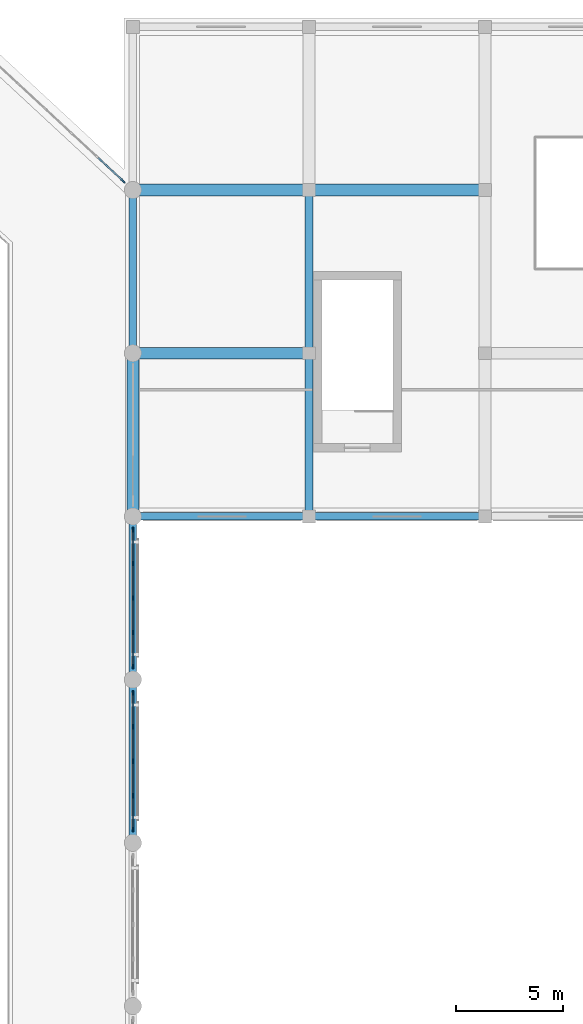
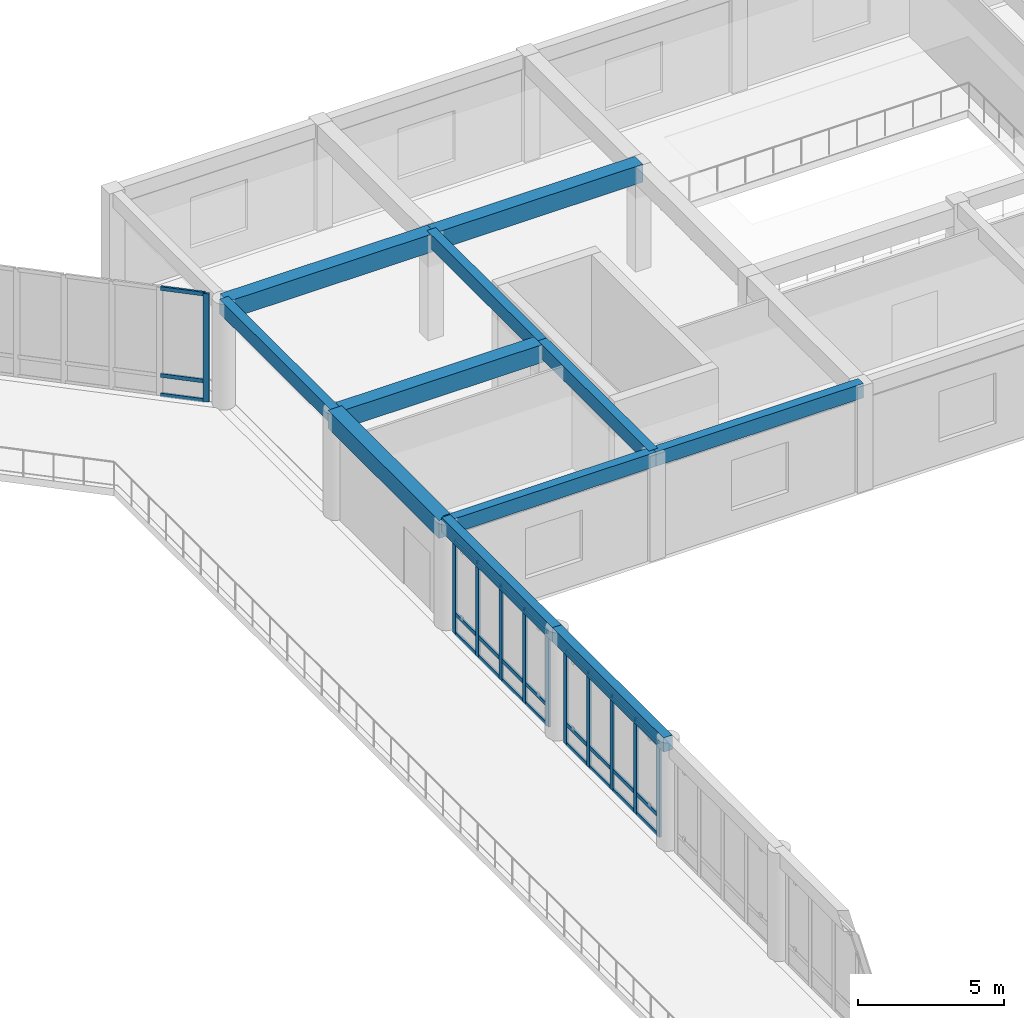
# One storey, part 14 of 57: 38 members, 11 beams, 3 elements without a shape of their own.
"""IFC4 building model written with IfcOpenShell, lengths in metres."""

import ifcopenshell
import ifcopenshell.guid

model = None  # the IFC model being written
_history = None  # IfcOwnerHistory: only IFC2X3 demands one
_inside = {}  # id of a spatial element -> (the spatial element, [elements in it])
_under = {}  # id of a project, library or spatial element -> (it, [spatial elements below it])
_declared = {}  # id of a project -> (the project, [libraries it declares])
_typed = {}  # id of a type object -> (the type object, [elements of that type])
_made_of = {}  # id of a material, layer set ... -> (it, [elements and type objects made of it])


def new_model(schema):
    """Start an empty IFC model of exactly this schema.

    Asked for "IFC4X3", IfcOpenShell would pick the latest addendum, in which some entities
    have other attributes; the version numbers below select the first issue.
    IFC2X3 requires an IfcOwnerHistory on every rooted entity: one is made here for all.
    """
    global model, _history
    if schema == "IFC4X3":
        model = ifcopenshell.file(schema_version=(4, 3, 0, 0))
    else:
        model = ifcopenshell.file(schema=schema)
    _inside.clear()
    _under.clear()
    _declared.clear()
    _typed.clear()
    _made_of.clear()
    _history = None
    if model.schema == "IFC2X3":
        org = make("IfcOrganization", Name="unknown")
        user = make(
            "IfcPersonAndOrganization",
            ThePerson=make("IfcPerson", FamilyName="unknown"),
            TheOrganization=org,
        )
        app = make(
            "IfcApplication",
            ApplicationDeveloper=org,
            Version="unknown",
            ApplicationFullName="unknown",
            ApplicationIdentifier="unknown",
        )
        _history = make(
            "IfcOwnerHistory",
            OwningUser=user,
            OwningApplication=app,
            ChangeAction="ADDED",
            CreationDate=0,
        )
    return model


def make(cls, **values):
    """One entity of the class cls with the attributes given. An attribute that is None is left unset."""
    return model.create_entity(
        cls, **{name: value for name, value in values.items() if value is not None}
    )


def rooted(cls, **values):
    """An entity with a GlobalId (a new one), such as an element, a storey or a relation."""
    return make(cls, GlobalId=ifcopenshell.guid.new(), OwnerHistory=_history, **values)


def si_unit(unit_type, name, prefix=None):
    """IfcSIUnit, for example si_unit("LENGTHUNIT", "METRE", prefix="MILLI")."""
    return make("IfcSIUnit", UnitType=unit_type, Prefix=prefix, Name=name)


def assignment(units):
    """IfcUnitAssignment: the units of a project."""
    return None if units is None else make("IfcUnitAssignment", Units=units)


def point(xyz):
    """IfcCartesianPoint."""
    return None if xyz is None else make("IfcCartesianPoint", Coordinates=xyz)


def direction(xyz):
    """IfcDirection."""
    return None if xyz is None else make("IfcDirection", DirectionRatios=xyz)


def frame(location, z_axis=None, x_axis=None):
    """IfcAxis2Placement3D, a coordinate frame: its origin and axes. An axis left out is left unset."""
    return make(
        "IfcAxis2Placement3D",
        Location=point(location),
        Axis=direction(z_axis),
        RefDirection=direction(x_axis),
    )


def frame_2d(location, x_axis=None):
    """IfcAxis2Placement2D, a coordinate frame in the plane: its origin and x axis."""
    return make(
        "IfcAxis2Placement2D", Location=point(location), RefDirection=direction(x_axis)
    )


def origin():
    """The frame at (0, 0, 0) with its axes left unset."""
    return frame((0.0, 0.0, 0.0))


def origin_2d():
    """The frame at (0, 0) in the plane with its x axis left unset."""
    return frame_2d((0.0, 0.0))


def place(relative_to, where):
    """IfcLocalPlacement: puts the frame where relative to a parent placement (None: the world)."""
    return make(
        "IfcLocalPlacement", PlacementRelTo=relative_to, RelativePlacement=where
    )


def context(
    kind, dimensions, precision=None, world=None, true_north=None, identifier=None
):
    """IfcGeometricRepresentationContext, for example the 3D "Model" context."""
    return make(
        "IfcGeometricRepresentationContext",
        ContextIdentifier=identifier,
        ContextType=kind,
        CoordinateSpaceDimension=dimensions,
        Precision=precision,
        WorldCoordinateSystem=world,
        TrueNorth=true_north,
    )


def subcontext(parent, identifier, kind, view, scale=None):
    """IfcGeometricRepresentationSubContext, for example "Body" below "Model"."""
    return make(
        "IfcGeometricRepresentationSubContext",
        ContextIdentifier=identifier,
        ContextType=kind,
        ParentContext=parent,
        TargetScale=scale,
        TargetView=view,
    )


def project(units=None, contexts=None):
    """IfcProject with its units and contexts."""
    return rooted(
        "IfcProject",
        Name="project",
        RepresentationContexts=contexts,
        UnitsInContext=assignment(units),
    )


def spatial(cls, under=None, at=None, **own):
    """A site, building, storey or space (cls), placed at a placement, below another one or the project."""
    s = rooted(cls, ObjectPlacement=at, **own)
    if under is not None:
        _under.setdefault(under.id(), (under, []))[1].append(s)
    return s


def profile(cls, at=None, kind="AREA", **sizes):
    """A parametric profile (cls). Its sizes go by their IFC names, for example OverallWidth=200.0."""
    return make(cls, ProfileType=kind, Position=at, **sizes)


def rectangle(**sizes):
    """IfcRectangleProfileDef."""
    return profile("IfcRectangleProfileDef", **sizes)


def extrude(swept, where, along, depth):
    """IfcExtrudedAreaSolid: the profile swept, set in the frame where, extruded along a direction by depth."""
    return make(
        "IfcExtrudedAreaSolid",
        SweptArea=swept,
        Position=where,
        ExtrudedDirection=direction(along),
        Depth=depth,
    )


def shape(context_of_items, identifier, shape_type, items):
    """IfcShapeRepresentation: the items that make up one representation, for example the "Body"."""
    return make(
        "IfcShapeRepresentation",
        ContextOfItems=context_of_items,
        RepresentationIdentifier=identifier,
        RepresentationType=shape_type,
        Items=items,
    )


def material(Name=None, Category=None):
    """IfcMaterial."""
    return make("IfcMaterial", Name=Name, Category=Category)


def material_profile(
    of_material, cross_section, Name=None, Category=None, Priority=None
):
    """IfcMaterialProfile: a cross section and its material."""
    return make(
        "IfcMaterialProfile",
        Name=Name,
        Material=of_material,
        Profile=cross_section,
        Priority=Priority,
        Category=Category,
    )


def profile_set(profiles, Name=None, composite=None):
    """IfcMaterialProfileSet."""
    return make(
        "IfcMaterialProfileSet",
        Name=Name,
        MaterialProfiles=profiles,
        CompositeProfile=composite,
    )


def made_of(thing, what):
    """Note that an element or type object is made of a material, layer set ...; save() writes the relation."""
    if what is not None:
        _made_of.setdefault(what.id(), (what, []))[1].append(thing)
    return thing


def type_object(cls, material=None, **own):
    """A type object (cls), such as IfcWallType, which elements share."""
    return made_of(rooted(cls, **own), material)


def element(
    cls,
    number,
    at=None,
    inside=None,
    cuts=None,
    type_object=None,
    material=None,
    context=None,
    identifier="Body",
    shape_type=None,
    held_by="IfcProductDefinitionShape",
    body=None,
    shapes=None,
    **own,
):
    """One element of the class cls, such as IfcWall. Its Tag is "e" and its number.

    at: its placement. inside: the storey or other place that contains it. cuts: it is an
    opening in that element (IfcRelVoidsElement). A single representation is given by context,
    identifier, shape_type and body (its items); several are given by shapes. held_by: the class
    of the entity that holds the representations. save() writes the other relations.
    """
    e = rooted(cls, Tag="e%d" % number, ObjectPlacement=at, **own)
    if body is not None:
        shapes = [shape(context, identifier, shape_type, body)]
    if shapes is not None:
        e.Representation = make(held_by, Representations=shapes)
    if inside is not None:
        _inside.setdefault(inside.id(), (inside, []))[1].append(e)
    if cuts is not None:
        rooted(
            "IfcRelVoidsElement", RelatingBuildingElement=cuts, RelatedOpeningElement=e
        )
    if type_object is not None:
        _typed.setdefault(type_object.id(), (type_object, []))[1].append(e)
    return made_of(e, material)


def aggregate(whole, parts):
    """IfcRelAggregates: a whole, such as a stair, and the parts it consists of."""
    return rooted("IfcRelAggregates", RelatingObject=whole, RelatedObjects=parts)


def save(model, path):
    """Write the relations noted so far, then the file.

    IfcRelAggregates (storeys below a building ...), IfcRelContainedInSpatialStructure (elements
    in a storey), IfcRelDefinesByType, IfcRelAssociatesMaterial and IfcRelDeclares: one each for
    every whole, place, type object, material and project.
    """
    for whole, parts in _under.values():
        aggregate(whole, parts)
    for where, things in _inside.values():
        rooted(
            "IfcRelContainedInSpatialStructure",
            RelatedElements=things,
            RelatingStructure=where,
        )
    for kind, things in _typed.values():
        rooted("IfcRelDefinesByType", RelatedObjects=things, RelatingType=kind)
    for what, things in _made_of.values():
        rooted("IfcRelAssociatesMaterial", RelatedObjects=things, RelatingMaterial=what)
    for by, libraries in _declared.values():
        rooted("IfcRelDeclares", RelatingContext=by, RelatedDefinitions=libraries)
    model.write(path)


model = new_model("IFC4")

# Units and contexts
model_context = context("Model", 3, precision=1e-05, world=origin(), true_north=direction((0.0, 1.0)))
body_context = subcontext(model_context, "Body", "Model", "MODEL_VIEW")
ifc_project = project(units=[si_unit("LENGTHUNIT", "METRE"), si_unit("AREAUNIT", "SQUARE_METRE"), si_unit("VOLUMEUNIT", "CUBIC_METRE"), si_unit("PLANEANGLEUNIT", "RADIAN"), si_unit("MASSUNIT", "GRAM", prefix="KILO")], contexts=[model_context])

# Site, building, storey
site_placement = place(None, origin())
site = spatial("IfcSite", under=ifc_project, at=site_placement, CompositionType="ELEMENT")
building_placement = place(site_placement, origin())
building = spatial("IfcBuilding", under=site, at=building_placement, Name="Qandaris Square Conservatory and Botanical Centre", CompositionType="ELEMENT")
storey_placement = place(building_placement, frame((0.0, 0.0, 5.39990234375)))
storey = spatial("IfcBuildingStorey", under=building, at=storey_placement, Name="L01", CompositionType="ELEMENT", Elevation=5.39990234375)

# Curtain wall, members
ifc_material_1 = material(Name="Anodised Aluminium", Category="aluminium")
curtain_wall_type_1 = type_object("IfcCurtainWallType", Name="Unitised Curtain Wall CW-1-644x392", PredefinedType="USERDEFINED", material=ifc_material_1)
curtain_wall_1_placement = place(storey_placement, origin())
curtain_wall_1 = element("IfcCurtainWall", 1, at=curtain_wall_1_placement, inside=storey, type_object=curtain_wall_type_1, Name="Curtain Wall CW-CON-L01-3-4", ObjectType="GLAZED CURTAIN WALL", PredefinedType="USERDEFINED")
ifc_material_profile_1 = material_profile(ifc_material_1, rectangle(XDim=0.074951171875, YDim=0.219970703125, at=origin_2d()), Name="ALU-MUL 75x220")
ifc_profile_set_1 = profile_set([ifc_material_profile_1], Name="Anodised Aluminium")
member_type_1 = type_object("IfcMemberType", Name="Conservatory Heavy Mullion 75x220", PredefinedType="MULLION", material=ifc_profile_set_1)
member_1_placement = place(storey_placement, frame((57.199951171875, 78.017578125, 0.0), z_axis=(0.0, 0.0, 1.0), x_axis=(-1.0, 0.0, 0.0)))
member_1 = element("IfcMember", 2, at=member_1_placement, type_object=member_type_1, Name="CW-1-644x392 mullion 1", PredefinedType="MULLION", context=body_context, shape_type="SweptSolid", body=[
    extrude(rectangle(XDim=0.074951171875, YDim=0.219970703125, at=origin_2d()), origin(), (0.0, 0.0, 1.0), 3.920166015625),
])
member_2_placement = place(storey_placement, frame((57.199951171875, 79.590087890625, 0.0), z_axis=(0.0, 0.0, 1.0), x_axis=(-1.0, 0.0, 0.0)))
member_2 = element("IfcMember", 3, at=member_2_placement, type_object=member_type_1, Name="CW-1-644x392 mullion 2", PredefinedType="MULLION", context=body_context, shape_type="SweptSolid", body=[
    extrude(rectangle(XDim=0.074951171875, YDim=0.219970703125, at=origin_2d()), origin(), (0.0, 0.0, 1.0), 3.920166015625),
])
member_3_placement = place(storey_placement, frame((57.199951171875, 81.199951171875, 0.0), z_axis=(0.0, 0.0, 1.0), x_axis=(-1.0, 0.0, 0.0)))
member_3 = element("IfcMember", 4, at=member_3_placement, type_object=member_type_1, Name="CW-1-644x392 mullion 3", PredefinedType="MULLION", context=body_context, shape_type="SweptSolid", body=[
    extrude(rectangle(XDim=0.074951171875, YDim=0.219970703125, at=origin_2d()), origin(), (0.0, 0.0, 1.0), 3.920166015625),
])
member_4_placement = place(storey_placement, frame((57.199951171875, 82.81005859375, 0.0), z_axis=(0.0, 0.0, 1.0), x_axis=(-1.0, 0.0, 0.0)))
member_4 = element("IfcMember", 5, at=member_4_placement, type_object=member_type_1, Name="CW-1-644x392 mullion 4", PredefinedType="MULLION", context=body_context, shape_type="SweptSolid", body=[
    extrude(rectangle(XDim=0.074951171875, YDim=0.219970703125, at=origin_2d()), origin(), (0.0, 0.0, 1.0), 3.920166015625),
])
member_5_placement = place(storey_placement, frame((57.199951171875, 84.382568359375, 0.0), z_axis=(0.0, 0.0, 1.0), x_axis=(-1.0, 0.0, 0.0)))
member_5 = element("IfcMember", 6, at=member_5_placement, type_object=member_type_1, Name="CW-1-644x392 mullion 5", PredefinedType="MULLION", context=body_context, shape_type="SweptSolid", body=[
    extrude(rectangle(XDim=0.074951171875, YDim=0.219970703125, at=origin_2d()), origin(), (0.0, 0.0, 1.0), 3.920166015625),
])

curtain_wall_2_placement = place(storey_placement, origin())
curtain_wall_2 = element("IfcCurtainWall", 7, at=curtain_wall_2_placement, inside=storey, type_object=curtain_wall_type_1, Name="Curtain Wall CW-CON-L01-3-5", ObjectType="GLAZED CURTAIN WALL", PredefinedType="USERDEFINED")
member_6_placement = place(storey_placement, frame((57.199951171875, 85.617431640625, 0.0), z_axis=(0.0, 0.0, 1.0), x_axis=(-1.0, 0.0, 0.0)))
member_6 = element("IfcMember", 8, at=member_6_placement, type_object=member_type_1, Name="CW-1-644x392 mullion 1", PredefinedType="MULLION", context=body_context, shape_type="SweptSolid", body=[
    extrude(rectangle(XDim=0.074951171875, YDim=0.219970703125, at=origin_2d()), origin(), (0.0, 0.0, 1.0), 3.920166015625),
])
member_7_placement = place(storey_placement, frame((57.199951171875, 87.18994140625, 0.0), z_axis=(0.0, 0.0, 1.0), x_axis=(-1.0, 0.0, 0.0)))
member_7 = element("IfcMember", 9, at=member_7_placement, type_object=member_type_1, Name="CW-1-644x392 mullion 2", PredefinedType="MULLION", context=body_context, shape_type="SweptSolid", body=[
    extrude(rectangle(XDim=0.074951171875, YDim=0.219970703125, at=origin_2d()), origin(), (0.0, 0.0, 1.0), 3.920166015625),
])
member_8_placement = place(storey_placement, frame((57.199951171875, 88.800048828125, 0.0), z_axis=(0.0, 0.0, 1.0), x_axis=(-1.0, 0.0, 0.0)))
member_8 = element("IfcMember", 10, at=member_8_placement, type_object=member_type_1, Name="CW-1-644x392 mullion 3", PredefinedType="MULLION", context=body_context, shape_type="SweptSolid", body=[
    extrude(rectangle(XDim=0.074951171875, YDim=0.219970703125, at=origin_2d()), origin(), (0.0, 0.0, 1.0), 3.920166015625),
])
member_9_placement = place(storey_placement, frame((57.199951171875, 90.409912109375, 0.0), z_axis=(0.0, 0.0, 1.0), x_axis=(-1.0, 0.0, 0.0)))
member_9 = element("IfcMember", 11, at=member_9_placement, type_object=member_type_1, Name="CW-1-644x392 mullion 4", PredefinedType="MULLION", context=body_context, shape_type="SweptSolid", body=[
    extrude(rectangle(XDim=0.074951171875, YDim=0.219970703125, at=origin_2d()), origin(), (0.0, 0.0, 1.0), 3.920166015625),
])
member_10_placement = place(storey_placement, frame((57.199951171875, 91.982421875, 0.0), z_axis=(0.0, 0.0, 1.0), x_axis=(-1.0, 0.0, 0.0)))
member_10 = element("IfcMember", 12, at=member_10_placement, type_object=member_type_1, Name="CW-1-644x392 mullion 5", PredefinedType="MULLION", context=body_context, shape_type="SweptSolid", body=[
    extrude(rectangle(XDim=0.074951171875, YDim=0.219970703125, at=origin_2d()), origin(), (0.0, 0.0, 1.0), 3.920166015625),
])

# Curtain wall, member
curtain_wall_type_2 = type_object("IfcCurtainWallType", Name="Unitised Curtain Wall CW-1-1002x452", PredefinedType="USERDEFINED", material=ifc_material_1)
curtain_wall_3_placement = place(storey_placement, origin())
curtain_wall_3 = element("IfcCurtainWall", 13, at=curtain_wall_3_placement, inside=storey, type_object=curtain_wall_type_2, Name="Curtain Wall CW-CON-L01-4-1", ObjectType="GLAZED CURTAIN WALL", PredefinedType="USERDEFINED")
member_11_placement = place(storey_placement, frame((56.7470703125, 108.2197265625, 0.0), z_axis=(0.0, 0.0, 1.0), x_axis=(-0.679761784592, -0.733432966404, 0.0)))
member_11 = element("IfcMember", 14, at=member_11_placement, type_object=member_type_1, Name="CW-1-1002x452 mullion 1", PredefinedType="MULLION", context=body_context, shape_type="SweptSolid", body=[
    extrude(rectangle(XDim=0.074951171875, YDim=0.219970703125, at=origin_2d()), origin(), (0.0, 0.0, 1.0), 4.52001953125),
])

# Member
ifc_material_profile_2 = material_profile(ifc_material_1, rectangle(XDim=0.074951171875, YDim=0.159912109375, at=origin_2d()), Name="ALU-TRN 75x160")
ifc_profile_set_2 = profile_set([ifc_material_profile_2], Name="Anodised Aluminium")
member_type_2 = type_object("IfcMemberType", Name="Conservatory Heavy Transom 75x160", PredefinedType="USERDEFINED", material=ifc_profile_set_2)
member_12_placement = place(storey_placement, frame((57.199951171875, 78.054931640625, 0.03759765625), z_axis=(0.0, 1.0, 0.0), x_axis=(-1.0, 0.0, 0.0)))
member_12 = element("IfcMember", 15, at=member_12_placement, type_object=member_type_2, Name="CW-1-644x392 transom 1.1", ObjectType="TRANSOM", PredefinedType="USERDEFINED", context=body_context, shape_type="SweptSolid", body=[
    extrude(rectangle(XDim=0.074951171875, YDim=0.159912109375, at=origin_2d()), origin(), (0.0, 0.0, 1.0), 1.49755859375),
])

member_13_placement = place(storey_placement, frame((57.199951171875, 78.054931640625, 0.85009765625), z_axis=(0.0, 1.0, 0.0), x_axis=(-1.0, 0.0, 0.0)))
member_13 = element("IfcMember", 16, at=member_13_placement, type_object=member_type_2, Name="CW-1-644x392 transom 1.2", ObjectType="TRANSOM", PredefinedType="USERDEFINED", context=body_context, shape_type="SweptSolid", body=[
    extrude(rectangle(XDim=0.074951171875, YDim=0.159912109375, at=origin_2d()), origin(), (0.0, 0.0, 1.0), 1.49755859375),
])

member_14_placement = place(storey_placement, frame((57.199951171875, 78.054931640625, 3.882568359375), z_axis=(0.0, 1.0, 0.0), x_axis=(-1.0, 0.0, 0.0)))
member_14 = element("IfcMember", 17, at=member_14_placement, type_object=member_type_2, Name="CW-1-644x392 transom 1.3", ObjectType="TRANSOM", PredefinedType="USERDEFINED", context=body_context, shape_type="SweptSolid", body=[
    extrude(rectangle(XDim=0.074951171875, YDim=0.159912109375, at=origin_2d()), origin(), (0.0, 0.0, 1.0), 1.49755859375),
])

member_15_placement = place(storey_placement, frame((57.199951171875, 79.62744140625, 0.03759765625), z_axis=(0.0, 1.0, 0.0), x_axis=(-1.0, 0.0, 0.0)))
member_15 = element("IfcMember", 18, at=member_15_placement, type_object=member_type_2, Name="CW-1-644x392 transom 2.1", ObjectType="TRANSOM", PredefinedType="USERDEFINED", context=body_context, shape_type="SweptSolid", body=[
    extrude(rectangle(XDim=0.074951171875, YDim=0.159912109375, at=origin_2d()), origin(), (0.0, 0.0, 1.0), 1.53515625),
])

member_16_placement = place(storey_placement, frame((57.199951171875, 79.62744140625, 0.85009765625), z_axis=(0.0, 1.0, 0.0), x_axis=(-1.0, 0.0, 0.0)))
member_16 = element("IfcMember", 19, at=member_16_placement, type_object=member_type_2, Name="CW-1-644x392 transom 2.2", ObjectType="TRANSOM", PredefinedType="USERDEFINED", context=body_context, shape_type="SweptSolid", body=[
    extrude(rectangle(XDim=0.074951171875, YDim=0.159912109375, at=origin_2d()), origin(), (0.0, 0.0, 1.0), 1.53515625),
])

member_17_placement = place(storey_placement, frame((57.199951171875, 79.62744140625, 3.882568359375), z_axis=(0.0, 1.0, 0.0), x_axis=(-1.0, 0.0, 0.0)))
member_17 = element("IfcMember", 20, at=member_17_placement, type_object=member_type_2, Name="CW-1-644x392 transom 2.3", ObjectType="TRANSOM", PredefinedType="USERDEFINED", context=body_context, shape_type="SweptSolid", body=[
    extrude(rectangle(XDim=0.074951171875, YDim=0.159912109375, at=origin_2d()), origin(), (0.0, 0.0, 1.0), 1.53515625),
])

member_18_placement = place(storey_placement, frame((57.199951171875, 81.237548828125, 0.03759765625), z_axis=(0.0, 1.0, 0.0), x_axis=(-1.0, 0.0, 0.0)))
member_18 = element("IfcMember", 21, at=member_18_placement, type_object=member_type_2, Name="CW-1-644x392 transom 3.1", ObjectType="TRANSOM", PredefinedType="USERDEFINED", context=body_context, shape_type="SweptSolid", body=[
    extrude(rectangle(XDim=0.074951171875, YDim=0.159912109375, at=origin_2d()), origin(), (0.0, 0.0, 1.0), 1.534912109375),
])

member_19_placement = place(storey_placement, frame((57.199951171875, 81.237548828125, 0.85009765625), z_axis=(0.0, 1.0, 0.0), x_axis=(-1.0, 0.0, 0.0)))
member_19 = element("IfcMember", 22, at=member_19_placement, type_object=member_type_2, Name="CW-1-644x392 transom 3.2", ObjectType="TRANSOM", PredefinedType="USERDEFINED", context=body_context, shape_type="SweptSolid", body=[
    extrude(rectangle(XDim=0.074951171875, YDim=0.159912109375, at=origin_2d()), origin(), (0.0, 0.0, 1.0), 1.534912109375),
])

member_20_placement = place(storey_placement, frame((57.199951171875, 81.237548828125, 3.882568359375), z_axis=(0.0, 1.0, 0.0), x_axis=(-1.0, 0.0, 0.0)))
member_20 = element("IfcMember", 23, at=member_20_placement, type_object=member_type_2, Name="CW-1-644x392 transom 3.3", ObjectType="TRANSOM", PredefinedType="USERDEFINED", context=body_context, shape_type="SweptSolid", body=[
    extrude(rectangle(XDim=0.074951171875, YDim=0.159912109375, at=origin_2d()), origin(), (0.0, 0.0, 1.0), 1.534912109375),
])

member_21_placement = place(storey_placement, frame((57.199951171875, 82.847412109375, 0.03759765625), z_axis=(0.0, 1.0, 0.0), x_axis=(-1.0, 0.0, 0.0)))
member_21 = element("IfcMember", 24, at=member_21_placement, type_object=member_type_2, Name="CW-1-644x392 transom 4.1", ObjectType="TRANSOM", PredefinedType="USERDEFINED", context=body_context, shape_type="SweptSolid", body=[
    extrude(rectangle(XDim=0.074951171875, YDim=0.159912109375, at=origin_2d()), origin(), (0.0, 0.0, 1.0), 1.49755859375),
])

member_22_placement = place(storey_placement, frame((57.199951171875, 82.847412109375, 0.85009765625), z_axis=(0.0, 1.0, 0.0), x_axis=(-1.0, 0.0, 0.0)))
member_22 = element("IfcMember", 25, at=member_22_placement, type_object=member_type_2, Name="CW-1-644x392 transom 4.2", ObjectType="TRANSOM", PredefinedType="USERDEFINED", context=body_context, shape_type="SweptSolid", body=[
    extrude(rectangle(XDim=0.074951171875, YDim=0.159912109375, at=origin_2d()), origin(), (0.0, 0.0, 1.0), 1.49755859375),
])

member_23_placement = place(storey_placement, frame((57.199951171875, 82.847412109375, 3.882568359375), z_axis=(0.0, 1.0, 0.0), x_axis=(-1.0, 0.0, 0.0)))
member_23 = element("IfcMember", 26, at=member_23_placement, type_object=member_type_2, Name="CW-1-644x392 transom 4.3", ObjectType="TRANSOM", PredefinedType="USERDEFINED", context=body_context, shape_type="SweptSolid", body=[
    extrude(rectangle(XDim=0.074951171875, YDim=0.159912109375, at=origin_2d()), origin(), (0.0, 0.0, 1.0), 1.49755859375),
])

aggregate(curtain_wall_1, [member_1, member_2, member_3, member_4, member_5, member_12, member_13, member_14, member_15, member_16, member_17, member_18, member_19, member_20, member_21, member_22, member_23])

member_24_placement = place(storey_placement, frame((57.199951171875, 85.655029296875, 0.03759765625), z_axis=(0.0, 1.0, 0.0), x_axis=(-1.0, 0.0, 0.0)))
member_24 = element("IfcMember", 27, at=member_24_placement, type_object=member_type_2, Name="CW-1-644x392 transom 1.1", ObjectType="TRANSOM", PredefinedType="USERDEFINED", context=body_context, shape_type="SweptSolid", body=[
    extrude(rectangle(XDim=0.074951171875, YDim=0.159912109375, at=origin_2d()), origin(), (0.0, 0.0, 1.0), 1.49755859375),
])

member_25_placement = place(storey_placement, frame((57.199951171875, 85.655029296875, 0.85009765625), z_axis=(0.0, 1.0, 0.0), x_axis=(-1.0, 0.0, 0.0)))
member_25 = element("IfcMember", 28, at=member_25_placement, type_object=member_type_2, Name="CW-1-644x392 transom 1.2", ObjectType="TRANSOM", PredefinedType="USERDEFINED", context=body_context, shape_type="SweptSolid", body=[
    extrude(rectangle(XDim=0.074951171875, YDim=0.159912109375, at=origin_2d()), origin(), (0.0, 0.0, 1.0), 1.49755859375),
])

member_26_placement = place(storey_placement, frame((57.199951171875, 85.655029296875, 3.882568359375), z_axis=(0.0, 1.0, 0.0), x_axis=(-1.0, 0.0, 0.0)))
member_26 = element("IfcMember", 29, at=member_26_placement, type_object=member_type_2, Name="CW-1-644x392 transom 1.3", ObjectType="TRANSOM", PredefinedType="USERDEFINED", context=body_context, shape_type="SweptSolid", body=[
    extrude(rectangle(XDim=0.074951171875, YDim=0.159912109375, at=origin_2d()), origin(), (0.0, 0.0, 1.0), 1.49755859375),
])

member_27_placement = place(storey_placement, frame((57.199951171875, 87.2275390625, 0.03759765625), z_axis=(0.0, 1.0, 0.0), x_axis=(-1.0, 0.0, 0.0)))
member_27 = element("IfcMember", 30, at=member_27_placement, type_object=member_type_2, Name="CW-1-644x392 transom 2.1", ObjectType="TRANSOM", PredefinedType="USERDEFINED", context=body_context, shape_type="SweptSolid", body=[
    extrude(rectangle(XDim=0.074951171875, YDim=0.159912109375, at=origin_2d()), origin(), (0.0, 0.0, 1.0), 1.534912109375),
])

member_28_placement = place(storey_placement, frame((57.199951171875, 87.2275390625, 0.85009765625), z_axis=(0.0, 1.0, 0.0), x_axis=(-1.0, 0.0, 0.0)))
member_28 = element("IfcMember", 31, at=member_28_placement, type_object=member_type_2, Name="CW-1-644x392 transom 2.2", ObjectType="TRANSOM", PredefinedType="USERDEFINED", context=body_context, shape_type="SweptSolid", body=[
    extrude(rectangle(XDim=0.074951171875, YDim=0.159912109375, at=origin_2d()), origin(), (0.0, 0.0, 1.0), 1.534912109375),
])

member_29_placement = place(storey_placement, frame((57.199951171875, 87.2275390625, 3.882568359375), z_axis=(0.0, 1.0, 0.0), x_axis=(-1.0, 0.0, 0.0)))
member_29 = element("IfcMember", 32, at=member_29_placement, type_object=member_type_2, Name="CW-1-644x392 transom 2.3", ObjectType="TRANSOM", PredefinedType="USERDEFINED", context=body_context, shape_type="SweptSolid", body=[
    extrude(rectangle(XDim=0.074951171875, YDim=0.159912109375, at=origin_2d()), origin(), (0.0, 0.0, 1.0), 1.534912109375),
])

member_30_placement = place(storey_placement, frame((57.199951171875, 88.83740234375, 0.03759765625), z_axis=(0.0, 1.0, 0.0), x_axis=(-1.0, 0.0, 0.0)))
member_30 = element("IfcMember", 33, at=member_30_placement, type_object=member_type_2, Name="CW-1-644x392 transom 3.1", ObjectType="TRANSOM", PredefinedType="USERDEFINED", context=body_context, shape_type="SweptSolid", body=[
    extrude(rectangle(XDim=0.074951171875, YDim=0.159912109375, at=origin_2d()), origin(), (0.0, 0.0, 1.0), 1.53515625),
])

member_31_placement = place(storey_placement, frame((57.199951171875, 88.83740234375, 0.85009765625), z_axis=(0.0, 1.0, 0.0), x_axis=(-1.0, 0.0, 0.0)))
member_31 = element("IfcMember", 34, at=member_31_placement, type_object=member_type_2, Name="CW-1-644x392 transom 3.2", ObjectType="TRANSOM", PredefinedType="USERDEFINED", context=body_context, shape_type="SweptSolid", body=[
    extrude(rectangle(XDim=0.074951171875, YDim=0.159912109375, at=origin_2d()), origin(), (0.0, 0.0, 1.0), 1.53515625),
])

member_32_placement = place(storey_placement, frame((57.199951171875, 88.83740234375, 3.882568359375), z_axis=(0.0, 1.0, 0.0), x_axis=(-1.0, 0.0, 0.0)))
member_32 = element("IfcMember", 35, at=member_32_placement, type_object=member_type_2, Name="CW-1-644x392 transom 3.3", ObjectType="TRANSOM", PredefinedType="USERDEFINED", context=body_context, shape_type="SweptSolid", body=[
    extrude(rectangle(XDim=0.074951171875, YDim=0.159912109375, at=origin_2d()), origin(), (0.0, 0.0, 1.0), 1.53515625),
])

member_33_placement = place(storey_placement, frame((57.199951171875, 90.447509765625, 0.03759765625), z_axis=(0.0, 1.0, 0.0), x_axis=(-1.0, 0.0, 0.0)))
member_33 = element("IfcMember", 36, at=member_33_placement, type_object=member_type_2, Name="CW-1-644x392 transom 4.1", ObjectType="TRANSOM", PredefinedType="USERDEFINED", context=body_context, shape_type="SweptSolid", body=[
    extrude(rectangle(XDim=0.074951171875, YDim=0.159912109375, at=origin_2d()), origin(), (0.0, 0.0, 1.0), 1.49755859375),
])

member_34_placement = place(storey_placement, frame((57.199951171875, 90.447509765625, 0.85009765625), z_axis=(0.0, 1.0, 0.0), x_axis=(-1.0, 0.0, 0.0)))
member_34 = element("IfcMember", 37, at=member_34_placement, type_object=member_type_2, Name="CW-1-644x392 transom 4.2", ObjectType="TRANSOM", PredefinedType="USERDEFINED", context=body_context, shape_type="SweptSolid", body=[
    extrude(rectangle(XDim=0.074951171875, YDim=0.159912109375, at=origin_2d()), origin(), (0.0, 0.0, 1.0), 1.49755859375),
])

member_35_placement = place(storey_placement, frame((57.199951171875, 90.447509765625, 3.882568359375), z_axis=(0.0, 1.0, 0.0), x_axis=(-1.0, 0.0, 0.0)))
member_35 = element("IfcMember", 38, at=member_35_placement, type_object=member_type_2, Name="CW-1-644x392 transom 4.3", ObjectType="TRANSOM", PredefinedType="USERDEFINED", context=body_context, shape_type="SweptSolid", body=[
    extrude(rectangle(XDim=0.074951171875, YDim=0.159912109375, at=origin_2d()), origin(), (0.0, 0.0, 1.0), 1.49755859375),
])

aggregate(curtain_wall_2, [member_6, member_7, member_8, member_9, member_10, member_24, member_25, member_26, member_27, member_28, member_29, member_30, member_31, member_32, member_33, member_34, member_35])

member_36_placement = place(storey_placement, frame((56.719482421875, 108.245361328125, 0.03759765625), z_axis=(-0.7334798559, 0.679711189395, 0.0), x_axis=(-0.679711189395, -0.7334798559, 0.0)))
member_36 = element("IfcMember", 39, at=member_36_placement, type_object=member_type_2, Name="CW-1-1002x452 transom 1.1", ObjectType="TRANSOM", PredefinedType="USERDEFINED", context=body_context, shape_type="SweptSolid", body=[
    extrude(rectangle(XDim=0.074951171875, YDim=0.159912109375, at=origin_2d()), origin(), (0.0, 0.0, 1.0), 1.557373046875),
])

member_37_placement = place(storey_placement, frame((56.719482421875, 108.245361328125, 0.85009765625), z_axis=(-0.7334798559, 0.679711189395, 0.0), x_axis=(-0.679711189395, -0.7334798559, 0.0)))
member_37 = element("IfcMember", 40, at=member_37_placement, type_object=member_type_2, Name="CW-1-1002x452 transom 1.2", ObjectType="TRANSOM", PredefinedType="USERDEFINED", context=body_context, shape_type="SweptSolid", body=[
    extrude(rectangle(XDim=0.074951171875, YDim=0.159912109375, at=origin_2d()), origin(), (0.0, 0.0, 1.0), 1.557373046875),
])

member_38_placement = place(storey_placement, frame((56.719482421875, 108.245361328125, 4.482666015625), z_axis=(-0.7334798559, 0.679711189395, 0.0), x_axis=(-0.679711189395, -0.7334798559, 0.0)))
member_38 = element("IfcMember", 41, at=member_38_placement, type_object=member_type_2, Name="CW-1-1002x452 transom 1.3", ObjectType="TRANSOM", PredefinedType="USERDEFINED", context=body_context, shape_type="SweptSolid", body=[
    extrude(rectangle(XDim=0.074951171875, YDim=0.159912109375, at=origin_2d()), origin(), (0.0, 0.0, 1.0), 1.557373046875),
])

aggregate(curtain_wall_3, [member_11, member_36, member_37, member_38])

# Beams
ifc_material_2 = material(Name="Concrete C50/60", Category="concrete")
ifc_material_profile_3 = material_profile(ifc_material_2, rectangle(XDim=0.35009765625, YDim=0.60009765625, at=origin_2d()), Name="RC-SP 350x600")
ifc_profile_set_3 = profile_set([ifc_material_profile_3], Name="Concrete C50/60")
beam_type_1 = type_object("IfcBeamType", Name="RC Edge Spandrel Beam 350x600", PredefinedType="SPANDREL", material=ifc_profile_set_3)
beam_1_placement = place(storey_placement, frame((57.199951171875, 92.60009765625, 4.1201171875), z_axis=(1.0, 0.0, 0.0), x_axis=(0.0, 1.0, 0.0)))
element("IfcBeam", 42, at=beam_1_placement, inside=storey, type_object=beam_type_1, Name="L01 Frame Beam 0983", PredefinedType="SPANDREL", context=body_context, shape_type="SweptSolid", body=[
    extrude(rectangle(XDim=0.35009765625, YDim=0.60009765625, at=origin_2d()), origin(), (0.0, 0.0, 1.0), 8.199951171875),
])
beam_2_placement = place(storey_placement, frame((65.39990234375, 92.60009765625, 4.1201171875), z_axis=(1.0, 0.0, 0.0), x_axis=(0.0, 1.0, 0.0)))
element("IfcBeam", 43, at=beam_2_placement, inside=storey, type_object=beam_type_1, Name="L01 Frame Beam 0984", PredefinedType="SPANDREL", context=body_context, shape_type="SweptSolid", body=[
    extrude(rectangle(XDim=0.35009765625, YDim=0.60009765625, at=origin_2d()), origin(), (0.0, 0.0, 1.0), 8.2001953125),
])
for number, where, z_axis, x_axis, name in (
    (44, (57.199951171875, 77.39990234375, 4.22021484375), (0.0, 1.0, 0.0), (-1.0, 0.0, 0.0), "L01 Frame Beam 1043"),
    (45, (57.199951171875, 85.0, 4.22021484375), (0.0, 1.0, 0.0), (-1.0, 0.0, 0.0), "L01 Frame Beam 1044"),
    (46, (57.199951171875, 100.199951171875, 4.1201171875), (0.0, 1.0, 0.0), (-1.0, 0.0, 0.0), "L01 Frame Beam 1046"),
):
    element("IfcBeam", number, at=place(storey_placement, frame(where, z_axis=z_axis, x_axis=x_axis)), inside=storey, type_object=beam_type_1, Name=name, PredefinedType="SPANDREL", context=body_context, shape_type="SweptSolid", body=[
        extrude(rectangle(XDim=0.35009765625, YDim=0.60009765625, at=origin_2d()), origin(), (0.0, 0.0, 1.0), 7.60009765625),
    ])
beam_3_placement = place(storey_placement, frame((65.39990234375, 92.60009765625, 4.1201171875), z_axis=(0.0, 1.0, 0.0), x_axis=(-1.0, 0.0, 0.0)))
element("IfcBeam", 47, at=beam_3_placement, inside=storey, type_object=beam_type_1, Name="L01 Frame Beam 1048", PredefinedType="SPANDREL", context=body_context, shape_type="SweptSolid", body=[
    extrude(rectangle(XDim=0.35009765625, YDim=0.60009765625, at=origin_2d()), origin(), (0.0, 0.0, 1.0), 7.599853515625),
])
beam_4_placement = place(storey_placement, frame((65.39990234375, 100.199951171875, 4.1201171875), z_axis=(0.0, 1.0, 0.0), x_axis=(-1.0, 0.0, 0.0)))
element("IfcBeam", 48, at=beam_4_placement, inside=storey, type_object=beam_type_1, Name="L01 Frame Beam 1049", PredefinedType="SPANDREL", context=body_context, shape_type="SweptSolid", body=[
    extrude(rectangle(XDim=0.35009765625, YDim=0.60009765625, at=origin_2d()), origin(), (0.0, 0.0, 1.0), 7.60009765625),
])
ifc_material_profile_4 = material_profile(ifc_material_2, rectangle(XDim=0.550048828125, YDim=0.75, at=origin_2d()), Name="RC-BM 550x750")
ifc_profile_set_4 = profile_set([ifc_material_profile_4], Name="Concrete C50/60")
beam_type_2 = type_object("IfcBeamType", Name="RC Plinth Girder 550x750", PredefinedType="BEAM", material=ifc_profile_set_4)
for number, where, z_axis, x_axis, name in (
    (49, (57.199951171875, 100.199951171875, 4.045166015625), (1.0, 0.0, 0.0), (0.0, 1.0, 0.0), "L01 Frame Beam 0996"),
    (50, (57.199951171875, 107.800048828125, 4.045166015625), (1.0, 0.0, 0.0), (0.0, 1.0, 0.0), "L01 Frame Beam 1008"),
):
    element("IfcBeam", number, at=place(storey_placement, frame(where, z_axis=z_axis, x_axis=x_axis)), inside=storey, type_object=beam_type_2, Name=name, PredefinedType="BEAM", context=body_context, shape_type="SweptSolid", body=[
        extrude(rectangle(XDim=0.550048828125, YDim=0.75, at=origin_2d()), origin(), (0.0, 0.0, 1.0), 8.199951171875),
    ])
beam_5_placement = place(storey_placement, frame((65.39990234375, 107.800048828125, 4.045166015625), z_axis=(1.0, 0.0, 0.0), x_axis=(0.0, 1.0, 0.0)))
element("IfcBeam", 51, at=beam_5_placement, inside=storey, type_object=beam_type_2, Name="L01 Frame Beam 1009", PredefinedType="BEAM", context=body_context, shape_type="SweptSolid", body=[
    extrude(rectangle(XDim=0.550048828125, YDim=0.75, at=origin_2d()), origin(), (0.0, 0.0, 1.0), 8.2001953125),
])
beam_6_placement = place(storey_placement, frame((57.199951171875, 92.60009765625, 4.045166015625), z_axis=(0.0, 1.0, 0.0), x_axis=(-1.0, 0.0, 0.0)))
element("IfcBeam", 52, at=beam_6_placement, inside=storey, type_object=beam_type_2, Name="L01 Frame Beam 1045", PredefinedType="BEAM", context=body_context, shape_type="SweptSolid", body=[
    extrude(rectangle(XDim=0.550048828125, YDim=0.75, at=origin_2d()), origin(), (0.0, 0.0, 1.0), 7.599853515625),
])

save(model, "model.ifc")
